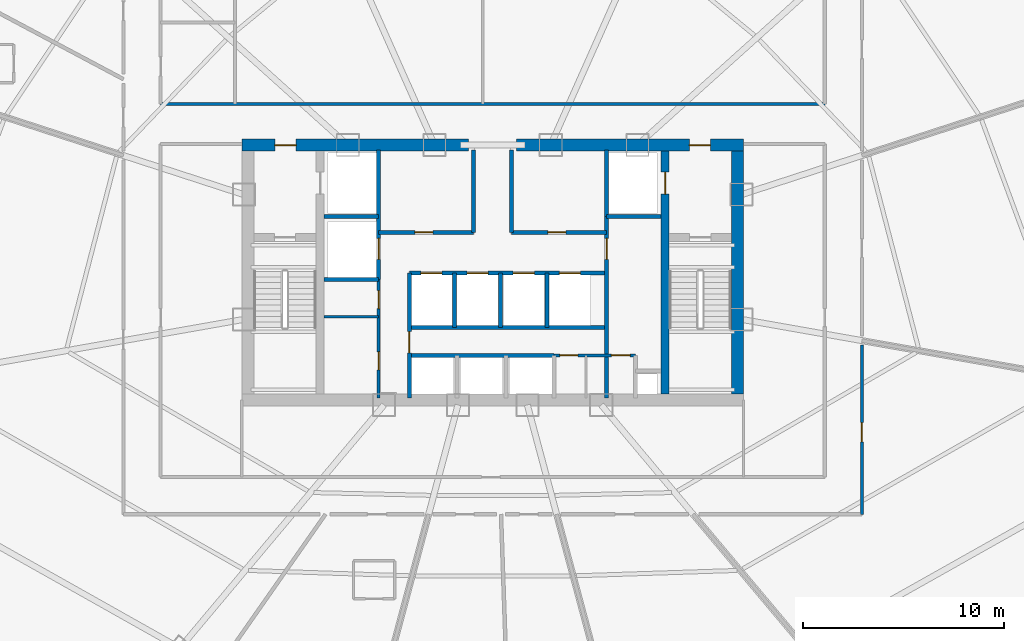
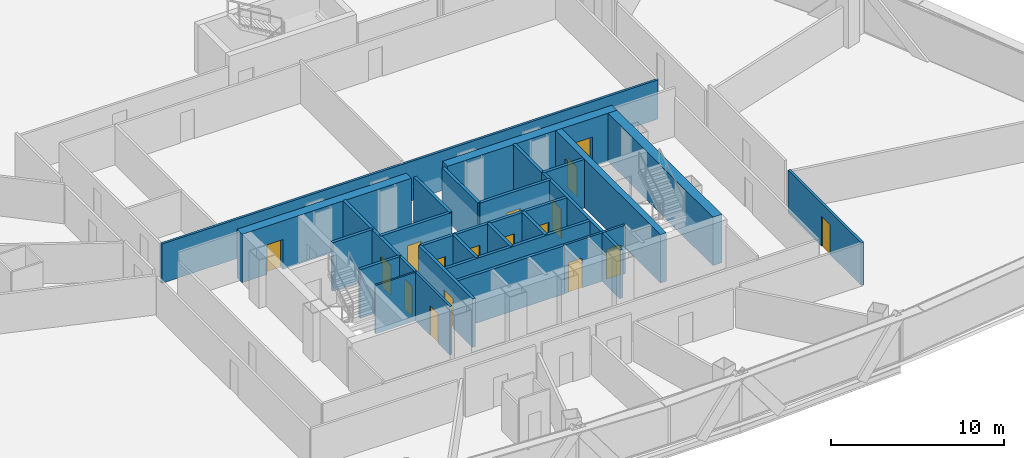
# One storey, part 35 of 41: 26 walls, 17 doors, 17 openings.
"""IFC4 building model written with IfcOpenShell, lengths in metres."""

from ifc_helpers import new_model, si_unit, direction, frame, frame_2d, origin, origin_with_axes, place, context, subcontext, project, spatial, rectangle, extrude, source, transform, mapped, material, layer, layer_set, type_object, element, fill, save


model = new_model("IFC4")

# Units and contexts
model_context = context("Model", 3, precision=1e-05, world=origin(), true_north=direction((0.0, 1.0)))
body_context = subcontext(model_context, "Body", "Model", "MODEL_VIEW")
ifc_project = project(units=[si_unit("LENGTHUNIT", "METRE"), si_unit("AREAUNIT", "SQUARE_METRE"), si_unit("VOLUMEUNIT", "CUBIC_METRE"), si_unit("PLANEANGLEUNIT", "RADIAN"), si_unit("MASSUNIT", "GRAM", prefix="KILO"), si_unit("THERMODYNAMICTEMPERATUREUNIT", "KELVIN"), si_unit("POWERUNIT", "WATT")], contexts=[model_context])

# Site, building, storey
site_placement = place(None, origin())
site = spatial("IfcSite", under=ifc_project, at=site_placement, CompositionType="ELEMENT")
building_placement = place(site_placement, origin())
building = spatial("IfcBuilding", under=site, at=building_placement, Name="Yunzhuo Pagoda Commons", CompositionType="ELEMENT")
storey_placement = place(building_placement, frame((0.0, 0.0, 155.590087890625)))
storey = spatial("IfcBuildingStorey", under=building, at=storey_placement, Name="L39", CompositionType="ELEMENT", Elevation=155.590087890625)

# Wall, opening, door
ifc_material_1 = material(Name="Concrete C60", Category="concrete")
ifc_layer_1 = layer(ifc_material_1, 0.60009765625)
ifc_layer_set_1 = layer_set([ifc_layer_1], Name="Concrete C60")
wall_type_1 = type_object("IfcWallType", Name="W-C02 Mid Core Shear Wall 600", PredefinedType="SHEAR", material=ifc_layer_set_1)
wall_1_placement = place(storey_placement, frame((35.5, 40.199951171875, 0.0), z_axis=(0.0, 0.0, 1.0), x_axis=(1.0, 0.0, 0.0)))
wall_1 = element("IfcWall", 1, at=wall_1_placement, inside=storey, type_object=wall_type_1, Name="L39 core shear wall NW", PredefinedType="SHEAR", context=body_context, shape_type="SweptSolid", body=[
    extrude(rectangle(XDim=11.300048828125, YDim=0.60009765625, at=frame_2d((5.64990234375, 0.0))), origin(), (0.0, 0.0, 1.0), 3.419921875),
])
opening_1_placement = place(wall_1_placement, frame((1.64990234375, 0.0, 0.0)))
opening_1 = element("IfcOpeningElement", 2, at=opening_1_placement, cuts=wall_1, Name="Opening D-02", PredefinedType="OPENING", context=body_context, shape_type="SweptSolid", body=[
    extrude(rectangle(XDim=1.050048828125, YDim=2.10009765625, at=frame_2d((0.52490234375, 1.050048828125))), frame((0.0, 0.31005859375, 0.0), z_axis=(0.0, -1.0, 0.0), x_axis=(1.0, 0.0, 0.0)), (0.0, 0.0, 1.0), 0.6201171875),
])
ifc_material_2 = material(Name="Galvanized fire-resisting metal leaf")
door_type_1 = type_object("IfcDoorType", Name="D-02 Firefighting Lobby & Refuge Fire Door 1050x2100", OperationType="NOTDEFINED", PredefinedType="DOOR", material=ifc_material_2)
shared_shape_1 = source(origin(), body_context, "Body", "SweptSolid", [
    extrude(rectangle(XDim=1.050048828125, YDim=2.10009765625, at=frame_2d((0.52490234375, 1.050048828125))), frame((0.0, 0.02490234375, 0.0), z_axis=(0.0, -1.0, 0.0), x_axis=(1.0, 0.0, 0.0)), (0.0, 0.0, 1.0), 0.050048828125),
])
door_1_placement = place(opening_1_placement, frame((1.050048828125, 0.0, 0.0), z_axis=(0.0, 0.0, 1.0), x_axis=(-1.0, 0.0, 0.0)))
door_1 = element("IfcDoor", 3, at=door_1_placement, inside=storey, type_object=door_type_1, Name="L39 Firefighting Lobby 1 fire door", OperationType="SINGLE_SWING_LEFT", OverallHeight=2.10009765625, OverallWidth=1.050048828125, PredefinedType="DOOR", context=body_context, shape_type="MappedRepresentation", body=[
    mapped(shared_shape_1, transform((0.0, 0.0, 0.0), scale=1.0)),
])
fill(opening_1, door_1)

wall_2_placement = place(storey_placement, frame((49.199951171875, 40.199951171875, 0.0), z_axis=(0.0, 0.0, 1.0), x_axis=(1.0, 0.0, 0.0)))
wall_2 = element("IfcWall", 4, at=wall_2_placement, inside=storey, type_object=wall_type_1, Name="L39 core shear wall NE", PredefinedType="SHEAR", context=body_context, shape_type="SweptSolid", body=[
    extrude(rectangle(XDim=11.300048828125, YDim=0.60009765625, at=frame_2d((5.64990234375, 0.0))), origin(), (0.0, 0.0, 1.0), 3.419921875),
])
opening_2_placement = place(wall_2_placement, frame((8.60009765625, 0.0, 0.0)))
opening_2 = element("IfcOpeningElement", 5, at=opening_2_placement, cuts=wall_2, Name="Opening D-02", PredefinedType="OPENING", context=body_context, shape_type="SweptSolid", body=[
    extrude(rectangle(XDim=1.050048828125, YDim=2.10009765625, at=frame_2d((0.52490234375, 1.050048828125))), frame((0.0, 0.31005859375, 0.0), z_axis=(0.0, -1.0, 0.0), x_axis=(1.0, 0.0, 0.0)), (0.0, 0.0, 1.0), 0.6201171875),
])
door_2_placement = place(opening_2_placement, frame((1.050048828125, 0.0, 0.0), z_axis=(0.0, 0.0, 1.0), x_axis=(-1.0, 0.0, 0.0)))
door_2 = element("IfcDoor", 6, at=door_2_placement, inside=storey, type_object=door_type_1, Name="L39 Firefighting Lobby 2 fire door", OperationType="SINGLE_SWING_RIGHT", OverallHeight=2.10009765625, OverallWidth=1.050048828125, PredefinedType="DOOR", context=body_context, shape_type="MappedRepresentation", body=[
    mapped(shared_shape_1, transform((0.0, 0.0, 0.0), scale=1.0)),
])
fill(opening_2, door_2)

# Wall
wall_3_placement = place(storey_placement, frame((60.199951171875, 27.800048828125, 0.0), z_axis=(0.0, 0.0, 1.0), x_axis=(0.0, 1.0, 0.0)))
element("IfcWall", 7, at=wall_3_placement, inside=storey, type_object=wall_type_1, Name="L39 core shear wall E", PredefinedType="SHEAR", context=body_context, shape_type="SweptSolid", body=[
    extrude(rectangle(XDim=12.099853515625, YDim=0.60009765625, at=frame_2d((6.0498046875, 0.0))), origin(), (0.0, 0.0, 1.0), 3.419921875),
])

# Wall, openings, doors
ifc_material_3 = material(Name="Gypsum plasterboard on acoustic stud")
ifc_layer_2 = layer(ifc_material_3, 0.155029296875)
ifc_layer_set_2 = layer_set([ifc_layer_2], Name="Gypsum plasterboard on acoustic stud")
wall_type_2 = type_object("IfcWallType", Name="W-COR2 Mid-Zone Rated Corridor Wall 155", PredefinedType="PARTITIONING", material=ifc_layer_set_2)
wall_4_placement = place(storey_placement, frame((42.320068359375, 27.60009765625, 0.0), z_axis=(0.0, 0.0, 1.0), x_axis=(0.0, 1.0, 0.0)))
wall_4 = element("IfcWall", 8, at=wall_4_placement, inside=storey, type_object=wall_type_2, Name="L39 interior wall IW-L39-CSWE", PredefinedType="PARTITIONING", context=body_context, shape_type="SweptSolid", body=[
    extrude(rectangle(XDim=5.89990234375, YDim=0.155029296875, at=frame_2d((2.949951171875, 0.0))), origin(), (0.0, 0.0, 1.0), 3.419921875),
])
opening_3_placement = place(wall_4_placement, frame((1.39990234375, 0.0, 0.0)))
opening_3 = element("IfcOpeningElement", 9, at=opening_3_placement, cuts=wall_4, Name="Opening D-03", PredefinedType="OPENING", context=body_context, shape_type="SweptSolid", body=[
    extrude(rectangle(XDim=0.89990234375, YDim=2.10009765625, at=frame_2d((0.449951171875, 1.050048828125))), frame((0.0, 0.08740234375, 0.0), z_axis=(0.0, -1.0, 0.0), x_axis=(1.0, 0.0, 0.0)), (0.0, 0.0, 1.0), 0.175048828125),
])
opening_4_placement = place(wall_4_placement, frame((4.449951171875, 0.0, 0.0)))
opening_4 = element("IfcOpeningElement", 10, at=opening_4_placement, cuts=wall_4, Name="Opening D-03", PredefinedType="OPENING", context=body_context, shape_type="SweptSolid", body=[
    extrude(rectangle(XDim=0.89990234375, YDim=2.10009765625, at=frame_2d((0.449951171875, 1.050048828125))), frame((0.0, 0.08740234375, 0.0), z_axis=(0.0, -1.0, 0.0), x_axis=(1.0, 0.0, 0.0)), (0.0, 0.0, 1.0), 0.175048828125),
])
door_type_2 = type_object("IfcDoorType", Name="D-03 Core Service Fire Door 900x2100", OperationType="NOTDEFINED", PredefinedType="DOOR", material=ifc_material_2)
shared_shape_2 = source(origin(), body_context, "Body", "SweptSolid", [
    extrude(rectangle(XDim=0.89990234375, YDim=2.10009765625, at=frame_2d((0.449951171875, 1.050048828125))), frame((0.0, 0.02490234375, 0.0), z_axis=(0.0, -1.0, 0.0), x_axis=(1.0, 0.0, 0.0)), (0.0, 0.0, 1.0), 0.050048828125),
])
door_3_placement = place(opening_3_placement, origin_with_axes())
door_3 = element("IfcDoor", 11, at=door_3_placement, inside=storey, type_object=door_type_2, Name="L39 service store door", OperationType="SINGLE_SWING_LEFT", OverallHeight=2.10009765625, OverallWidth=0.89990234375, PredefinedType="DOOR", context=body_context, shape_type="MappedRepresentation", body=[
    mapped(shared_shape_2, transform((0.0, 0.0, 0.0), scale=1.0)),
])
fill(opening_3, door_3)
door_4_placement = place(opening_4_placement, origin_with_axes())
door_4 = element("IfcDoor", 12, at=door_4_placement, inside=storey, type_object=door_type_2, Name="L39 switch closet door", OperationType="SINGLE_SWING_RIGHT", OverallHeight=2.10009765625, OverallWidth=0.89990234375, PredefinedType="DOOR", context=body_context, shape_type="MappedRepresentation", body=[
    mapped(shared_shape_2, transform((0.0, 0.0, 0.0), scale=1.0)),
])
fill(opening_4, door_4)

wall_5_placement = place(storey_placement, frame((51.050048828125, 29.719970703125, 0.0), z_axis=(0.0, 0.0, 1.0), x_axis=(1.0, 0.0, 0.0)))
wall_5 = element("IfcWall", 13, at=wall_5_placement, inside=storey, type_object=wall_type_2, Name="L39 interior wall IW-L39-CSES", PredefinedType="PARTITIONING", context=body_context, shape_type="SweptSolid", body=[
    extrude(rectangle(XDim=4.070068359375, YDim=0.155029296875, at=frame_2d((2.03515625, 0.0))), origin(), (0.0, 0.0, 1.0), 3.419921875),
])
opening_5_placement = place(wall_5_placement, frame((0.300048828125, 0.0, 0.0)))
opening_5 = element("IfcOpeningElement", 14, at=opening_5_placement, cuts=wall_5, Name="Opening D-03", PredefinedType="OPENING", context=body_context, shape_type="SweptSolid", body=[
    extrude(rectangle(XDim=0.89990234375, YDim=2.10009765625, at=frame_2d((0.449951171875, 1.050048828125))), frame((0.0, 0.08740234375, 0.0), z_axis=(0.0, -1.0, 0.0), x_axis=(1.0, 0.0, 0.0)), (0.0, 0.0, 1.0), 0.175048828125),
])
opening_6_placement = place(wall_5_placement, frame((2.860107421875, 0.0, 0.0)))
opening_6 = element("IfcOpeningElement", 15, at=opening_6_placement, cuts=wall_5, Name="Opening D-11", PredefinedType="OPENING", context=body_context, shape_type="SweptSolid", body=[
    extrude(rectangle(XDim=0.93994140625, YDim=2.10009765625, at=frame_2d((0.469970703125, 1.050048828125))), frame((0.0, 0.08740234375, 0.0), z_axis=(0.0, -1.0, 0.0), x_axis=(1.0, 0.0, 0.0)), (0.0, 0.0, 1.0), 0.175048828125),
])
door_5_placement = place(opening_5_placement, origin_with_axes())
door_5 = element("IfcDoor", 16, at=door_5_placement, inside=storey, type_object=door_type_2, Name="L39 cleaner door", OperationType="SINGLE_SWING_LEFT", OverallHeight=2.10009765625, OverallWidth=0.89990234375, PredefinedType="DOOR", context=body_context, shape_type="MappedRepresentation", body=[
    mapped(shared_shape_2, transform((0.0, 0.0, 0.0), scale=1.0)),
])
fill(opening_5, door_5)
door_type_3 = type_object("IfcDoorType", Name="D-11 Accessible Washroom Fire Door 940x2100", OperationType="NOTDEFINED", PredefinedType="DOOR", material=ifc_material_2)
shared_shape_3 = source(origin(), body_context, "Body", "SweptSolid", [
    extrude(rectangle(XDim=0.93994140625, YDim=2.10009765625, at=frame_2d((0.469970703125, 1.050048828125))), frame((0.0, 0.02490234375, 0.0), z_axis=(0.0, -1.0, 0.0), x_axis=(1.0, 0.0, 0.0)), (0.0, 0.0, 1.0), 0.050048828125),
])
door_6_placement = place(opening_6_placement, origin_with_axes())
door_6 = element("IfcDoor", 17, at=door_6_placement, inside=storey, type_object=door_type_3, Name="L39 core WC door", OperationType="SINGLE_SWING_RIGHT", OverallHeight=2.10009765625, OverallWidth=0.93994140625, PredefinedType="DOOR", context=body_context, shape_type="MappedRepresentation", body=[
    mapped(shared_shape_3, transform((0.0, 0.0, 0.0), scale=1.0)),
])
fill(opening_6, door_6)

# Wall
wall_6_placement = place(storey_placement, frame((31.449951171875, 42.25, 0.0), z_axis=(0.0, 0.0, 1.0), x_axis=(1.0, 0.0, 0.0)))
element("IfcWall", 18, at=wall_6_placement, inside=storey, type_object=wall_type_2, Name="L39 interior wall IW-L39-MCNS", PredefinedType="PARTITIONING", context=body_context, shape_type="SweptSolid", body=[
    extrude(rectangle(XDim=33.10009765625, YDim=0.155029296875, at=frame_2d((16.550048828125, 0.0))), origin(), (0.0, 0.0, 1.0), 2.77001953125),
])

# Wall, opening, door
wall_7_placement = place(storey_placement, frame((66.39990234375, 30.232177734375, 0.0), z_axis=(0.0, 0.0, 1.0), x_axis=(0.0, -1.0, 0.0)))
wall_7 = element("IfcWall", 19, at=wall_7_placement, inside=storey, type_object=wall_type_2, Name="L39 interior wall IW-L39-CWL12", PredefinedType="PARTITIONING", context=body_context, shape_type="SweptSolid", body=[
    extrude(rectangle(XDim=8.43212890625, YDim=0.155029296875, at=frame_2d((4.216064453125, 0.0))), origin(), (0.0, 0.0, 1.0), 3.02001953125),
])
opening_7_placement = place(wall_7_placement, frame((3.859375, 0.0, 0.0)))
opening_7 = element("IfcOpeningElement", 20, at=opening_7_placement, cuts=wall_7, Name="Opening D-07", PredefinedType="OPENING", context=body_context, shape_type="SweptSolid", body=[
    extrude(rectangle(XDim=0.9599609375, YDim=2.1201171875, at=frame_2d((0.47998046875, 1.06005859375))), frame((0.0, 0.08740234375, 0.0), z_axis=(0.0, -1.0, 0.0), x_axis=(1.0, 0.0, 0.0)), (0.0, 0.0, 1.0), 0.175048828125),
])
door_type_4 = type_object("IfcDoorType", Name="D-07 Mid-Zone Suite Entrance Fire Door 960x2120", OperationType="NOTDEFINED", PredefinedType="DOOR", material=ifc_material_2)
shared_shape_4 = source(origin(), body_context, "Body", "SweptSolid", [
    extrude(rectangle(XDim=0.9599609375, YDim=2.1201171875, at=frame_2d((0.47998046875, 1.06005859375))), frame((0.0, 0.02490234375, 0.0), z_axis=(0.0, -1.0, 0.0), x_axis=(1.0, 0.0, 0.0)), (0.0, 0.0, 1.0), 0.050048828125),
])
door_7_placement = place(opening_7_placement, origin_with_axes())
door_7 = element("IfcDoor", 21, at=door_7_placement, inside=storey, type_object=door_type_4, Name="L39 unit 13 entrance door", OperationType="SINGLE_SWING_LEFT", OverallHeight=2.1201171875, OverallWidth=0.9599609375, PredefinedType="DOOR", context=body_context, shape_type="MappedRepresentation", body=[
    mapped(shared_shape_4, transform((0.0, 0.0, 0.0), scale=1.0)),
])
fill(opening_7, door_7)

# Wall
ifc_layer_3 = layer(ifc_material_3, 0.1201171875)
ifc_layer_set_3 = layer_set([ifc_layer_3], Name="Gypsum plasterboard on acoustic stud")
wall_type_3 = type_object("IfcWallType", Name="W-PRT1 Suite & Bathroom Partition 120", PredefinedType="PARTITIONING", material=ifc_layer_set_3)
wall_8_placement = place(storey_placement, frame((39.60009765625, 31.64990234375, 0.0), z_axis=(0.0, 0.0, 1.0), x_axis=(1.0, 0.0, 0.0)))
element("IfcWall", 22, at=wall_8_placement, inside=storey, type_object=wall_type_3, Name="L39 interior wall IW-L39-CD1", PredefinedType="PARTITIONING", context=body_context, shape_type="SweptSolid", body=[
    extrude(rectangle(XDim=2.719970703125, YDim=0.1201171875, at=frame_2d((1.35986328125, 0.0))), origin(), (0.0, 0.0, 1.0), 3.419921875),
])

# Wall, opening, door
ifc_layer_4 = layer(ifc_material_1, 0.39990234375)
ifc_layer_set_4 = layer_set([ifc_layer_4], Name="Concrete C60")
wall_type_4 = type_object("IfcWallType", Name="W-S01 Internal Core Shear Web 400", PredefinedType="SHEAR", material=ifc_layer_set_4)
wall_9_placement = place(storey_placement, frame((56.60009765625, 27.800048828125, 0.0), z_axis=(0.0, 0.0, 1.0), x_axis=(0.0, 1.0, 0.0)))
wall_9 = element("IfcWall", 23, at=wall_9_placement, inside=storey, type_object=wall_type_4, Name="L39 core shear wall WEBE", PredefinedType="SHEAR", context=body_context, shape_type="SweptSolid", body=[
    extrude(rectangle(XDim=12.099853515625, YDim=0.39990234375, at=frame_2d((6.0498046875, 0.0))), origin(), (0.0, 0.0, 1.0), 3.419921875),
])
opening_8_placement = place(wall_9_placement, frame((9.949951171875, 0.0, 0.0)))
opening_8 = element("IfcOpeningElement", 24, at=opening_8_placement, cuts=wall_9, Name="Opening LD-01", PredefinedType="OPENING", context=body_context, shape_type="SweptSolid", body=[
    extrude(rectangle(XDim=1.10009765625, YDim=2.10009765625, at=frame_2d((0.550048828125, 1.050048828125))), frame((0.0, 0.2099609375, 0.0), z_axis=(0.0, -1.0, 0.0), x_axis=(1.0, 0.0, 0.0)), (0.0, 0.0, 1.0), 0.419921875),
])
door_type_5 = type_object("IfcDoorType", Name="LD-01 Firefighting Lift Landing Door 1100x2100", OperationType="DOUBLE_DOOR_SLIDING", PredefinedType="DOOR", material=ifc_material_2)
shared_shape_5 = source(origin(), body_context, "Body", "SweptSolid", [
    extrude(rectangle(XDim=1.10009765625, YDim=2.10009765625, at=frame_2d((0.550048828125, 1.050048828125))), frame((0.0, 0.02490234375, 0.0), z_axis=(0.0, -1.0, 0.0), x_axis=(1.0, 0.0, 0.0)), (0.0, 0.0, 1.0), 0.050048828125),
])
door_8_placement = place(opening_8_placement, origin_with_axes())
door_8 = element("IfcDoor", 25, at=door_8_placement, inside=storey, type_object=door_type_5, Name="L39 Firefighting lift FL-2 landing door", OperationType="DOUBLE_DOOR_SLIDING", OverallHeight=2.10009765625, OverallWidth=1.10009765625, PredefinedType="DOOR", context=body_context, shape_type="MappedRepresentation", body=[
    mapped(shared_shape_5, transform((0.0, 0.0, 0.0), scale=1.0)),
])
fill(opening_8, door_8)

ifc_material_4 = material(Name="Concrete C40", Category="concrete")
ifc_layer_5 = layer(ifc_material_4, 0.199951171875)
ifc_layer_set_5 = layer_set([ifc_layer_5], Name="Concrete C40")
wall_type_5 = type_object("IfcWallType", Name="W-SHF Shaft & Stair Enclosure Wall 200", PredefinedType="SOLIDWALL", material=ifc_layer_set_5)
wall_10_placement = place(storey_placement, frame((42.320068359375, 33.5, 0.0), z_axis=(0.0, 0.0, 1.0), x_axis=(0.0, 1.0, 0.0)))
wall_10 = element("IfcWall", 26, at=wall_10_placement, inside=storey, type_object=wall_type_5, Name="L39 interior wall IW-L39-FL1E", PredefinedType="SOLIDWALL", context=body_context, shape_type="SweptSolid", body=[
    extrude(rectangle(XDim=6.449951171875, YDim=0.199951171875, at=frame_2d((3.22509765625, 0.0))), origin(), (0.0, 0.0, 1.0), 3.419921875),
])
opening_9_placement = place(wall_10_placement, frame((1.0, 0.0, 0.0)))
opening_9 = element("IfcOpeningElement", 27, at=opening_9_placement, cuts=wall_10, Name="Opening LD-02", PredefinedType="OPENING", context=body_context, shape_type="SweptSolid", body=[
    extrude(rectangle(XDim=1.050048828125, YDim=2.10009765625, at=frame_2d((0.52490234375, 1.050048828125))), frame((0.0, 0.10986328125, 0.0), z_axis=(0.0, -1.0, 0.0), x_axis=(1.0, 0.0, 0.0)), (0.0, 0.0, 1.0), 0.219970703125),
])
door_type_6 = type_object("IfcDoorType", Name="LD-02 Passenger Lift Landing Door 1050x2100", OperationType="DOUBLE_DOOR_SLIDING", PredefinedType="DOOR", material=ifc_material_2)
door_9_placement = place(opening_9_placement, origin_with_axes())
door_9 = element("IfcDoor", 28, at=door_9_placement, inside=storey, type_object=door_type_6, Name="L39 Service lift SL-1 landing door", OperationType="DOUBLE_DOOR_SLIDING", OverallHeight=2.10009765625, OverallWidth=1.050048828125, PredefinedType="DOOR", context=body_context, shape_type="MappedRepresentation", body=[
    mapped(shared_shape_1, transform((0.0, 0.0, 0.0), scale=1.0)),
])
fill(opening_9, door_9)

# Walls
for number, where, z_axis, x_axis, name in (
    (29, (39.60009765625, 36.64990234375, 0.0), (0.0, 0.0, 1.0), (1.0, 0.0, 0.0), "L39 interior wall IW-L39-FL1S"),
    (30, (39.60009765625, 33.5, 0.0), (0.0, 0.0, 1.0), (1.0, 0.0, 0.0), "L39 interior wall IW-L39-SL1S"),
):
    element("IfcWall", number, at=place(storey_placement, frame(where, z_axis=z_axis, x_axis=x_axis)), inside=storey, type_object=wall_type_5, Name=name, PredefinedType="SOLIDWALL", context=body_context, shape_type="SweptSolid", body=[
        extrude(rectangle(XDim=2.719970703125, YDim=0.199951171875, at=frame_2d((1.35986328125, 0.0))), origin(), (0.0, 0.0, 1.0), 3.419921875),
    ])
wall_11_placement = place(storey_placement, frame((53.679931640625, 36.64990234375, 0.0), z_axis=(0.0, 0.0, 1.0), x_axis=(0.0, 1.0, 0.0)))
element("IfcWall", 31, at=wall_11_placement, inside=storey, type_object=wall_type_5, Name="L39 interior wall IW-L39-FL2W", PredefinedType="SOLIDWALL", context=body_context, shape_type="SweptSolid", body=[
    extrude(rectangle(XDim=3.300048828125, YDim=0.199951171875, at=frame_2d((1.64990234375, 0.0))), origin(), (0.0, 0.0, 1.0), 3.419921875),
])
wall_12_placement = place(storey_placement, frame((53.679931640625, 36.64990234375, 0.0), z_axis=(0.0, 0.0, 1.0), x_axis=(1.0, 0.0, 0.0)))
element("IfcWall", 32, at=wall_12_placement, inside=storey, type_object=wall_type_5, Name="L39 interior wall IW-L39-FL2S", PredefinedType="SOLIDWALL", context=body_context, shape_type="SweptSolid", body=[
    extrude(rectangle(XDim=2.719970703125, YDim=0.199951171875, at=frame_2d((1.35986328125, 0.0))), origin(), (0.0, 0.0, 1.0), 3.419921875),
])

# Wall, opening, door
wall_13_placement = place(storey_placement, frame((42.320068359375, 35.85009765625, 0.0), z_axis=(0.0, 0.0, 1.0), x_axis=(1.0, 0.0, 0.0)))
wall_13 = element("IfcWall", 33, at=wall_13_placement, inside=storey, type_object=wall_type_5, Name="L39 interior wall IW-L39-LBNW", PredefinedType="SOLIDWALL", context=body_context, shape_type="SweptSolid", body=[
    extrude(rectangle(XDim=4.72998046875, YDim=0.199951171875, at=frame_2d((2.364990234375, 0.0))), origin(), (0.0, 0.0, 1.0), 3.419921875),
])
opening_10_placement = place(wall_13_placement, frame((1.800048828125, 0.0, 0.0)))
opening_10 = element("IfcOpeningElement", 34, at=opening_10_placement, cuts=wall_13, Name="Opening D-03", PredefinedType="OPENING", context=body_context, shape_type="SweptSolid", body=[
    extrude(rectangle(XDim=0.89990234375, YDim=2.10009765625, at=frame_2d((0.449951171875, 1.050048828125))), frame((0.0, 0.10986328125, 0.0), z_axis=(0.0, -1.0, 0.0), x_axis=(1.0, 0.0, 0.0)), (0.0, 0.0, 1.0), 0.219970703125),
])
door_10_placement = place(opening_10_placement, frame((0.89990234375, 0.0, 0.0), z_axis=(0.0, 0.0, 1.0), x_axis=(-1.0, 0.0, 0.0)))
door_10 = element("IfcDoor", 35, at=door_10_placement, inside=storey, type_object=door_type_2, Name="L39 core west store door", OperationType="SINGLE_SWING_LEFT", OverallHeight=2.10009765625, OverallWidth=0.89990234375, PredefinedType="DOOR", context=body_context, shape_type="MappedRepresentation", body=[
    mapped(shared_shape_2, transform((0.0, 0.0, 0.0), scale=1.0)),
])
fill(opening_10, door_10)

wall_14_placement = place(storey_placement, frame((48.949951171875, 35.85009765625, 0.0), z_axis=(0.0, 0.0, 1.0), x_axis=(1.0, 0.0, 0.0)))
wall_14 = element("IfcWall", 36, at=wall_14_placement, inside=storey, type_object=wall_type_5, Name="L39 interior wall IW-L39-LBNE", PredefinedType="SOLIDWALL", context=body_context, shape_type="SweptSolid", body=[
    extrude(rectangle(XDim=4.72998046875, YDim=0.199951171875, at=frame_2d((2.364990234375, 0.0))), origin(), (0.0, 0.0, 1.0), 3.419921875),
])
opening_11_placement = place(wall_14_placement, frame((1.800048828125, 0.0, 0.0)))
opening_11 = element("IfcOpeningElement", 37, at=opening_11_placement, cuts=wall_14, Name="Opening D-03", PredefinedType="OPENING", context=body_context, shape_type="SweptSolid", body=[
    extrude(rectangle(XDim=0.89990234375, YDim=2.10009765625, at=frame_2d((0.449951171875, 1.050048828125))), frame((0.0, 0.10986328125, 0.0), z_axis=(0.0, -1.0, 0.0), x_axis=(1.0, 0.0, 0.0)), (0.0, 0.0, 1.0), 0.219970703125),
])
door_11_placement = place(opening_11_placement, frame((0.89990234375, 0.0, 0.0), z_axis=(0.0, 0.0, 1.0), x_axis=(-1.0, 0.0, 0.0)))
door_11 = element("IfcDoor", 38, at=door_11_placement, inside=storey, type_object=door_type_2, Name="L39 core east store door", OperationType="SINGLE_SWING_RIGHT", OverallHeight=2.10009765625, OverallWidth=0.89990234375, PredefinedType="DOOR", context=body_context, shape_type="MappedRepresentation", body=[
    mapped(shared_shape_2, transform((0.0, 0.0, 0.0), scale=1.0)),
])
fill(opening_11, door_11)

# Walls
for number, where, z_axis, x_axis, name in (
    (39, (47.050048828125, 35.85009765625, 0.0), (0.0, 0.0, 1.0), (0.0, 1.0, 0.0), "L39 interior wall IW-L39-THRW"),
    (40, (48.949951171875, 35.85009765625, 0.0), (0.0, 0.0, 1.0), (0.0, 1.0, 0.0), "L39 interior wall IW-L39-THRE"),
):
    element("IfcWall", number, at=place(storey_placement, frame(where, z_axis=z_axis, x_axis=x_axis)), inside=storey, type_object=wall_type_5, Name=name, PredefinedType="SOLIDWALL", context=body_context, shape_type="SweptSolid", body=[
        extrude(rectangle(XDim=4.099853515625, YDim=0.199951171875, at=frame_2d((2.0498046875, 0.0))), origin(), (0.0, 0.0, 1.0), 3.419921875),
    ])

# Wall, openings, doors
wall_15_placement = place(storey_placement, frame((43.85009765625, 33.820068359375, 0.0), z_axis=(0.0, 0.0, 1.0), x_axis=(1.0, 0.0, 0.0)))
wall_15 = element("IfcWall", 41, at=wall_15_placement, inside=storey, type_object=wall_type_5, Name="L39 interior wall IW-L39-MLBS", PredefinedType="SOLIDWALL", context=body_context, shape_type="SweptSolid", body=[
    extrude(rectangle(XDim=9.829833984375, YDim=0.199951171875, at=frame_2d((4.9150390625, 0.0))), origin(), (0.0, 0.0, 1.0), 3.419921875),
])
opening_12_placement = place(wall_15_placement, frame((0.574951171875, 0.0, 0.0)))
opening_12 = element("IfcOpeningElement", 42, at=opening_12_placement, cuts=wall_15, Name="Opening LD-02", PredefinedType="OPENING", context=body_context, shape_type="SweptSolid", body=[
    extrude(rectangle(XDim=1.050048828125, YDim=2.10009765625, at=frame_2d((0.52490234375, 1.050048828125))), frame((0.0, 0.10986328125, 0.0), z_axis=(0.0, -1.0, 0.0), x_axis=(1.0, 0.0, 0.0)), (0.0, 0.0, 1.0), 0.219970703125),
])
opening_13_placement = place(wall_15_placement, frame((2.875, 0.0, 0.0)))
opening_13 = element("IfcOpeningElement", 43, at=opening_13_placement, cuts=wall_15, Name="Opening LD-02", PredefinedType="OPENING", context=body_context, shape_type="SweptSolid", body=[
    extrude(rectangle(XDim=1.050048828125, YDim=2.10009765625, at=frame_2d((0.52490234375, 1.050048828125))), frame((0.0, 0.10986328125, 0.0), z_axis=(0.0, -1.0, 0.0), x_axis=(1.0, 0.0, 0.0)), (0.0, 0.0, 1.0), 0.219970703125),
])
opening_14_placement = place(wall_15_placement, frame((5.175048828125, 0.0, 0.0)))
opening_14 = element("IfcOpeningElement", 44, at=opening_14_placement, cuts=wall_15, Name="Opening LD-02", PredefinedType="OPENING", context=body_context, shape_type="SweptSolid", body=[
    extrude(rectangle(XDim=1.050048828125, YDim=2.10009765625, at=frame_2d((0.52490234375, 1.050048828125))), frame((0.0, 0.10986328125, 0.0), z_axis=(0.0, -1.0, 0.0), x_axis=(1.0, 0.0, 0.0)), (0.0, 0.0, 1.0), 0.219970703125),
])
opening_15_placement = place(wall_15_placement, frame((7.47509765625, 0.0, 0.0)))
opening_15 = element("IfcOpeningElement", 45, at=opening_15_placement, cuts=wall_15, Name="Opening LD-02", PredefinedType="OPENING", context=body_context, shape_type="SweptSolid", body=[
    extrude(rectangle(XDim=1.050048828125, YDim=2.10009765625, at=frame_2d((0.52490234375, 1.050048828125))), frame((0.0, 0.10986328125, 0.0), z_axis=(0.0, -1.0, 0.0), x_axis=(1.0, 0.0, 0.0)), (0.0, 0.0, 1.0), 0.219970703125),
])
door_12_placement = place(opening_12_placement, origin_with_axes())
door_12 = element("IfcDoor", 46, at=door_12_placement, inside=storey, type_object=door_type_6, Name="L39 Passenger lift PL-M1 landing door", OperationType="DOUBLE_DOOR_SLIDING", OverallHeight=2.10009765625, OverallWidth=1.050048828125, PredefinedType="DOOR", context=body_context, shape_type="MappedRepresentation", body=[
    mapped(shared_shape_1, transform((0.0, 0.0, 0.0), scale=1.0)),
])
fill(opening_12, door_12)
door_13_placement = place(opening_13_placement, origin_with_axes())
door_13 = element("IfcDoor", 47, at=door_13_placement, inside=storey, type_object=door_type_6, Name="L39 Passenger lift PL-M2 landing door", OperationType="DOUBLE_DOOR_SLIDING", OverallHeight=2.10009765625, OverallWidth=1.050048828125, PredefinedType="DOOR", context=body_context, shape_type="MappedRepresentation", body=[
    mapped(shared_shape_1, transform((0.0, 0.0, 0.0), scale=1.0)),
])
fill(opening_13, door_13)
door_14_placement = place(opening_14_placement, origin_with_axes())
door_14 = element("IfcDoor", 48, at=door_14_placement, inside=storey, type_object=door_type_6, Name="L39 Passenger lift PL-M3 landing door", OperationType="DOUBLE_DOOR_SLIDING", OverallHeight=2.10009765625, OverallWidth=1.050048828125, PredefinedType="DOOR", context=body_context, shape_type="MappedRepresentation", body=[
    mapped(shared_shape_1, transform((0.0, 0.0, 0.0), scale=1.0)),
])
fill(opening_14, door_14)
door_15_placement = place(opening_15_placement, origin_with_axes())
door_15 = element("IfcDoor", 49, at=door_15_placement, inside=storey, type_object=door_type_6, Name="L39 Passenger lift PL-M4 landing door", OperationType="DOUBLE_DOOR_SLIDING", OverallHeight=2.10009765625, OverallWidth=1.050048828125, PredefinedType="DOOR", context=body_context, shape_type="MappedRepresentation", body=[
    mapped(shared_shape_1, transform((0.0, 0.0, 0.0), scale=1.0)),
])
fill(opening_15, door_15)

# Wall, opening, door
wall_16_placement = place(storey_placement, frame((43.85009765625, 27.60009765625, 0.0), z_axis=(0.0, 0.0, 1.0), x_axis=(0.0, 1.0, 0.0)))
wall_16 = element("IfcWall", 50, at=wall_16_placement, inside=storey, type_object=wall_type_5, Name="L39 interior wall IW-L39-PLMW", PredefinedType="SOLIDWALL", context=body_context, shape_type="SweptSolid", body=[
    extrude(rectangle(XDim=6.219970703125, YDim=0.199951171875, at=frame_2d((3.10986328125, 0.0))), origin(), (0.0, 0.0, 1.0), 3.419921875),
])
opening_16_placement = place(wall_16_placement, frame((2.25, 0.0, 0.0)))
opening_16 = element("IfcOpeningElement", 51, at=opening_16_placement, cuts=wall_16, Name="Opening D-02", PredefinedType="OPENING", context=body_context, shape_type="SweptSolid", body=[
    extrude(rectangle(XDim=1.050048828125, YDim=2.10009765625, at=frame_2d((0.52490234375, 1.050048828125))), frame((0.0, 0.10986328125, 0.0), z_axis=(0.0, -1.0, 0.0), x_axis=(1.0, 0.0, 0.0)), (0.0, 0.0, 1.0), 0.219970703125),
])
door_16_placement = place(opening_16_placement, frame((1.050048828125, 0.0, 0.0), z_axis=(0.0, 0.0, 1.0), x_axis=(-1.0, 0.0, 0.0)))
door_16 = element("IfcDoor", 52, at=door_16_placement, inside=storey, type_object=door_type_1, Name="L39 High-bank hall west door", OperationType="SINGLE_SWING_LEFT", OverallHeight=2.10009765625, OverallWidth=1.050048828125, PredefinedType="DOOR", context=body_context, shape_type="MappedRepresentation", body=[
    mapped(shared_shape_1, transform((0.0, 0.0, 0.0), scale=1.0)),
])
fill(opening_16, door_16)

wall_17_placement = place(storey_placement, frame((53.679931640625, 27.60009765625, 0.0), z_axis=(0.0, 0.0, 1.0), x_axis=(0.0, 1.0, 0.0)))
wall_17 = element("IfcWall", 53, at=wall_17_placement, inside=storey, type_object=wall_type_5, Name="L39 interior wall IW-L39-PLME", PredefinedType="SOLIDWALL", context=body_context, shape_type="SweptSolid", body=[
    extrude(rectangle(XDim=9.0498046875, YDim=0.199951171875, at=frame_2d((4.52490234375, 0.0))), origin(), (0.0, 0.0, 1.0), 3.419921875),
])
opening_17_placement = place(wall_17_placement, frame((6.89990234375, 0.0, 0.0)))
opening_17 = element("IfcOpeningElement", 54, at=opening_17_placement, cuts=wall_17, Name="Opening D-02", PredefinedType="OPENING", context=body_context, shape_type="SweptSolid", body=[
    extrude(rectangle(XDim=1.050048828125, YDim=2.10009765625, at=frame_2d((0.52490234375, 1.050048828125))), frame((0.0, 0.10986328125, 0.0), z_axis=(0.0, -1.0, 0.0), x_axis=(1.0, 0.0, 0.0)), (0.0, 0.0, 1.0), 0.219970703125),
])
door_17_placement = place(opening_17_placement, origin_with_axes())
door_17 = element("IfcDoor", 55, at=door_17_placement, inside=storey, type_object=door_type_1, Name="L39 High-bank lift hall door", OperationType="SINGLE_SWING_RIGHT", OverallHeight=2.10009765625, OverallWidth=1.050048828125, PredefinedType="DOOR", context=body_context, shape_type="MappedRepresentation", body=[
    mapped(shared_shape_1, transform((0.0, 0.0, 0.0), scale=1.0)),
])
fill(opening_17, door_17)

# Walls
for number, where, z_axis, x_axis, name in (
    (56, (46.10009765625, 31.1201171875, 0.0), (0.0, 0.0, 1.0), (0.0, 1.0, 0.0), "L39 interior wall IW-L39-PLMD1"),
    (57, (48.39990234375, 31.1201171875, 0.0), (0.0, 0.0, 1.0), (0.0, 1.0, 0.0), "L39 interior wall IW-L39-PLMD2"),
    (58, (50.699951171875, 31.1201171875, 0.0), (0.0, 0.0, 1.0), (0.0, 1.0, 0.0), "L39 interior wall IW-L39-PLMD3"),
):
    element("IfcWall", number, at=place(storey_placement, frame(where, z_axis=z_axis, x_axis=x_axis)), inside=storey, type_object=wall_type_5, Name=name, PredefinedType="SOLIDWALL", context=body_context, shape_type="SweptSolid", body=[
        extrude(rectangle(XDim=2.699951171875, YDim=0.199951171875, at=frame_2d((1.35009765625, 0.0))), origin(), (0.0, 0.0, 1.0), 3.419921875),
    ])
wall_18_placement = place(storey_placement, frame((43.85009765625, 29.719970703125, 0.0), z_axis=(0.0, 0.0, 1.0), x_axis=(1.0, 0.0, 0.0)))
element("IfcWall", 59, at=wall_18_placement, inside=storey, type_object=wall_type_5, Name="L39 interior wall IW-L39-PLHN", PredefinedType="SOLIDWALL", context=body_context, shape_type="SweptSolid", body=[
    extrude(rectangle(XDim=7.199951171875, YDim=0.199951171875, at=frame_2d((3.60009765625, 0.0))), origin(), (0.0, 0.0, 1.0), 3.419921875),
])
wall_19_placement = place(storey_placement, frame((43.85009765625, 31.1201171875, 0.0), z_axis=(0.0, 0.0, 1.0), x_axis=(1.0, 0.0, 0.0)))
element("IfcWall", 60, at=wall_19_placement, inside=storey, type_object=wall_type_5, Name="L39 interior wall IW-L39-PLMS2", PredefinedType="SOLIDWALL", context=body_context, shape_type="SweptSolid", body=[
    extrude(rectangle(XDim=9.829833984375, YDim=0.199951171875, at=frame_2d((4.9150390625, 0.0))), origin(), (0.0, 0.0, 1.0), 3.419921875),
])

save(model, "model.ifc")
